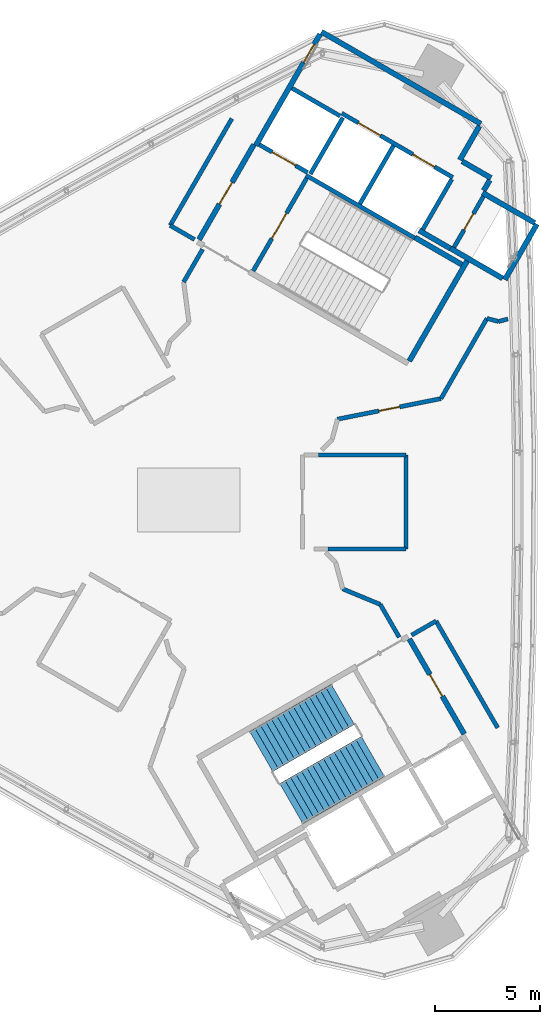
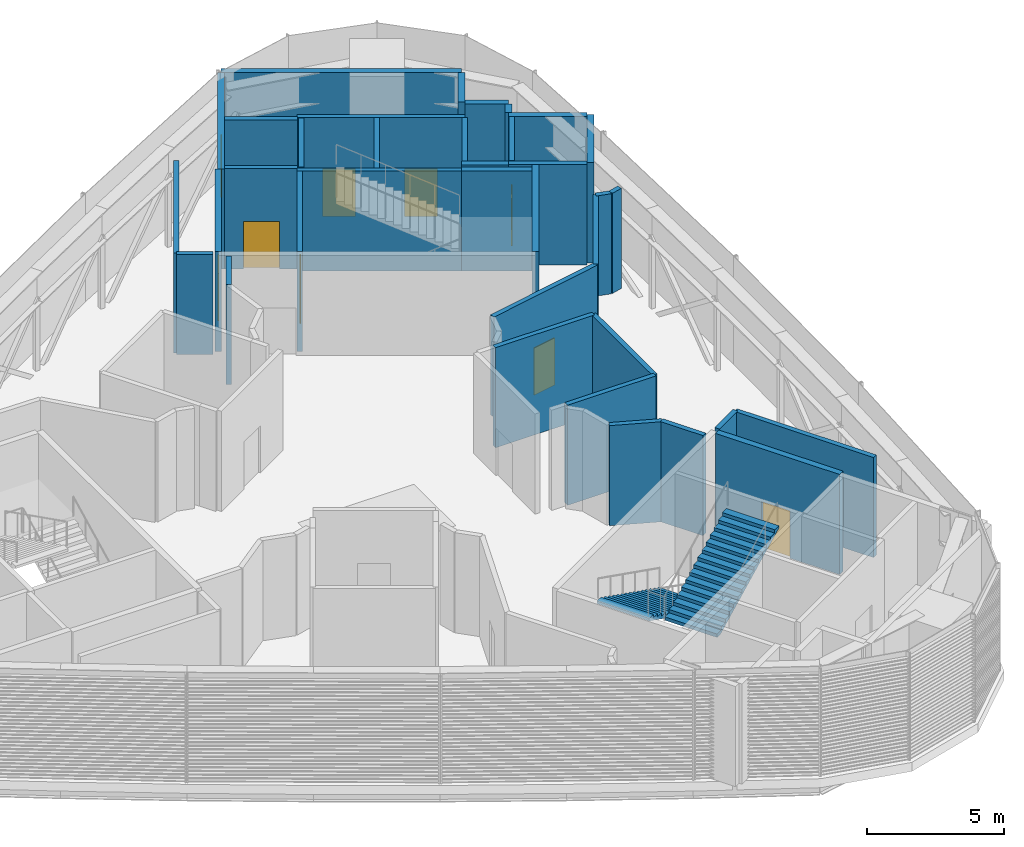
# One storey, part 17 of 21: 36 walls, 9 doors, 2 stair flights, 9 openings, 1 element without a shape of its own.
"""IFC4 building model written with IfcOpenShell, lengths in metres."""

import ifcopenshell
import ifcopenshell.guid

model = None  # the IFC model being written
_history = None  # IfcOwnerHistory: only IFC2X3 demands one
_inside = {}  # id of a spatial element -> (the spatial element, [elements in it])
_under = {}  # id of a project, library or spatial element -> (it, [spatial elements below it])
_declared = {}  # id of a project -> (the project, [libraries it declares])
_typed = {}  # id of a type object -> (the type object, [elements of that type])
_made_of = {}  # id of a material, layer set ... -> (it, [elements and type objects made of it])


def new_model(schema):
    """Start an empty IFC model of exactly this schema.

    Asked for "IFC4X3", IfcOpenShell would pick the latest addendum, in which some entities
    have other attributes; the version numbers below select the first issue.
    IFC2X3 requires an IfcOwnerHistory on every rooted entity: one is made here for all.
    """
    global model, _history
    if schema == "IFC4X3":
        model = ifcopenshell.file(schema_version=(4, 3, 0, 0))
    else:
        model = ifcopenshell.file(schema=schema)
    _inside.clear()
    _under.clear()
    _declared.clear()
    _typed.clear()
    _made_of.clear()
    _history = None
    if model.schema == "IFC2X3":
        org = make("IfcOrganization", Name="unknown")
        user = make(
            "IfcPersonAndOrganization",
            ThePerson=make("IfcPerson", FamilyName="unknown"),
            TheOrganization=org,
        )
        app = make(
            "IfcApplication",
            ApplicationDeveloper=org,
            Version="unknown",
            ApplicationFullName="unknown",
            ApplicationIdentifier="unknown",
        )
        _history = make(
            "IfcOwnerHistory",
            OwningUser=user,
            OwningApplication=app,
            ChangeAction="ADDED",
            CreationDate=0,
        )
    return model


def make(cls, **values):
    """One entity of the class cls with the attributes given. An attribute that is None is left unset."""
    return model.create_entity(
        cls, **{name: value for name, value in values.items() if value is not None}
    )


def rooted(cls, **values):
    """An entity with a GlobalId (a new one), such as an element, a storey or a relation."""
    return make(cls, GlobalId=ifcopenshell.guid.new(), OwnerHistory=_history, **values)


def si_unit(unit_type, name, prefix=None):
    """IfcSIUnit, for example si_unit("LENGTHUNIT", "METRE", prefix="MILLI")."""
    return make("IfcSIUnit", UnitType=unit_type, Prefix=prefix, Name=name)


def assignment(units):
    """IfcUnitAssignment: the units of a project."""
    return None if units is None else make("IfcUnitAssignment", Units=units)


def point(xyz):
    """IfcCartesianPoint."""
    return None if xyz is None else make("IfcCartesianPoint", Coordinates=xyz)


def direction(xyz):
    """IfcDirection."""
    return None if xyz is None else make("IfcDirection", DirectionRatios=xyz)


def frame(location, z_axis=None, x_axis=None):
    """IfcAxis2Placement3D, a coordinate frame: its origin and axes. An axis left out is left unset."""
    return make(
        "IfcAxis2Placement3D",
        Location=point(location),
        Axis=direction(z_axis),
        RefDirection=direction(x_axis),
    )


def frame_2d(location, x_axis=None):
    """IfcAxis2Placement2D, a coordinate frame in the plane: its origin and x axis."""
    return make(
        "IfcAxis2Placement2D", Location=point(location), RefDirection=direction(x_axis)
    )


def origin():
    """The frame at (0, 0, 0) with its axes left unset."""
    return frame((0.0, 0.0, 0.0))


def place(relative_to, where):
    """IfcLocalPlacement: puts the frame where relative to a parent placement (None: the world)."""
    return make(
        "IfcLocalPlacement", PlacementRelTo=relative_to, RelativePlacement=where
    )


def context(
    kind, dimensions, precision=None, world=None, true_north=None, identifier=None
):
    """IfcGeometricRepresentationContext, for example the 3D "Model" context."""
    return make(
        "IfcGeometricRepresentationContext",
        ContextIdentifier=identifier,
        ContextType=kind,
        CoordinateSpaceDimension=dimensions,
        Precision=precision,
        WorldCoordinateSystem=world,
        TrueNorth=true_north,
    )


def subcontext(parent, identifier, kind, view, scale=None):
    """IfcGeometricRepresentationSubContext, for example "Body" below "Model"."""
    return make(
        "IfcGeometricRepresentationSubContext",
        ContextIdentifier=identifier,
        ContextType=kind,
        ParentContext=parent,
        TargetScale=scale,
        TargetView=view,
    )


def project(units=None, contexts=None):
    """IfcProject with its units and contexts."""
    return rooted(
        "IfcProject",
        Name="project",
        RepresentationContexts=contexts,
        UnitsInContext=assignment(units),
    )


def spatial(cls, under=None, at=None, **own):
    """A site, building, storey or space (cls), placed at a placement, below another one or the project."""
    s = rooted(cls, ObjectPlacement=at, **own)
    if under is not None:
        _under.setdefault(under.id(), (under, []))[1].append(s)
    return s


def polyline(points):
    """IfcPolyline through the points."""
    return make("IfcPolyline", Points=[point(p) for p in points])


def profile(cls, at=None, kind="AREA", **sizes):
    """A parametric profile (cls). Its sizes go by their IFC names, for example OverallWidth=200.0."""
    return make(cls, ProfileType=kind, Position=at, **sizes)


def rectangle(**sizes):
    """IfcRectangleProfileDef."""
    return profile("IfcRectangleProfileDef", **sizes)


def outline(outer, holes=None, kind="AREA"):
    """IfcArbitraryClosedProfileDef: a profile drawn as a closed curve; with holes, ...WithVoids."""
    if holes is None:
        return make("IfcArbitraryClosedProfileDef", ProfileType=kind, OuterCurve=outer)
    return make(
        "IfcArbitraryProfileDefWithVoids",
        ProfileType=kind,
        OuterCurve=outer,
        InnerCurves=holes,
    )


def extrude(swept, where, along, depth):
    """IfcExtrudedAreaSolid: the profile swept, set in the frame where, extruded along a direction by depth."""
    return make(
        "IfcExtrudedAreaSolid",
        SweptArea=swept,
        Position=where,
        ExtrudedDirection=direction(along),
        Depth=depth,
    )


def shape(context_of_items, identifier, shape_type, items):
    """IfcShapeRepresentation: the items that make up one representation, for example the "Body"."""
    return make(
        "IfcShapeRepresentation",
        ContextOfItems=context_of_items,
        RepresentationIdentifier=identifier,
        RepresentationType=shape_type,
        Items=items,
    )


def material(Name=None, Category=None):
    """IfcMaterial."""
    return make("IfcMaterial", Name=Name, Category=Category)


def layer(
    of_material, thickness, ventilated=None, Name=None, Category=None, Priority=None
):
    """IfcMaterialLayer: one layer of a wall or slab, of a material (None: an air gap)."""
    return make(
        "IfcMaterialLayer",
        Material=of_material,
        LayerThickness=thickness,
        IsVentilated=ventilated,
        Name=Name,
        Category=Category,
        Priority=Priority,
    )


def layer_set(layers, Name=None):
    """IfcMaterialLayerSet."""
    return make("IfcMaterialLayerSet", MaterialLayers=layers, LayerSetName=Name)


def made_of(thing, what):
    """Note that an element or type object is made of a material, layer set ...; save() writes the relation."""
    if what is not None:
        _made_of.setdefault(what.id(), (what, []))[1].append(thing)
    return thing


def type_object(cls, material=None, **own):
    """A type object (cls), such as IfcWallType, which elements share."""
    return made_of(rooted(cls, **own), material)


def element(
    cls,
    number,
    at=None,
    inside=None,
    cuts=None,
    type_object=None,
    material=None,
    context=None,
    identifier="Body",
    shape_type=None,
    held_by="IfcProductDefinitionShape",
    body=None,
    shapes=None,
    **own,
):
    """One element of the class cls, such as IfcWall. Its Tag is "e" and its number.

    at: its placement. inside: the storey or other place that contains it. cuts: it is an
    opening in that element (IfcRelVoidsElement). A single representation is given by context,
    identifier, shape_type and body (its items); several are given by shapes. held_by: the class
    of the entity that holds the representations. save() writes the other relations.
    """
    e = rooted(cls, Tag="e%d" % number, ObjectPlacement=at, **own)
    if body is not None:
        shapes = [shape(context, identifier, shape_type, body)]
    if shapes is not None:
        e.Representation = make(held_by, Representations=shapes)
    if inside is not None:
        _inside.setdefault(inside.id(), (inside, []))[1].append(e)
    if cuts is not None:
        rooted(
            "IfcRelVoidsElement", RelatingBuildingElement=cuts, RelatedOpeningElement=e
        )
    if type_object is not None:
        _typed.setdefault(type_object.id(), (type_object, []))[1].append(e)
    return made_of(e, material)


def fill(opening, filler):
    """IfcRelFillsElement: the door or window that sits in an opening."""
    return rooted(
        "IfcRelFillsElement",
        RelatingOpeningElement=opening,
        RelatedBuildingElement=filler,
    )


def aggregate(whole, parts):
    """IfcRelAggregates: a whole, such as a stair, and the parts it consists of."""
    return rooted("IfcRelAggregates", RelatingObject=whole, RelatedObjects=parts)


def save(model, path):
    """Write the relations noted so far, then the file.

    IfcRelAggregates (storeys below a building ...), IfcRelContainedInSpatialStructure (elements
    in a storey), IfcRelDefinesByType, IfcRelAssociatesMaterial and IfcRelDeclares: one each for
    every whole, place, type object, material and project.
    """
    for whole, parts in _under.values():
        aggregate(whole, parts)
    for where, things in _inside.values():
        rooted(
            "IfcRelContainedInSpatialStructure",
            RelatedElements=things,
            RelatingStructure=where,
        )
    for kind, things in _typed.values():
        rooted("IfcRelDefinesByType", RelatedObjects=things, RelatingType=kind)
    for what, things in _made_of.values():
        rooted("IfcRelAssociatesMaterial", RelatedObjects=things, RelatingMaterial=what)
    for by, libraries in _declared.values():
        rooted("IfcRelDeclares", RelatingContext=by, RelatedDefinitions=libraries)
    model.write(path)


model = new_model("IFC4")

# Units and contexts
model_context = context("Model", 3, precision=1e-05, world=origin(), true_north=direction((0.0, 1.0)))
body_context = subcontext(model_context, "Body", "Model", "MODEL_VIEW")
ifc_project = project(units=[si_unit("LENGTHUNIT", "METRE"), si_unit("AREAUNIT", "SQUARE_METRE"), si_unit("VOLUMEUNIT", "CUBIC_METRE"), si_unit("PLANEANGLEUNIT", "RADIAN"), si_unit("MASSUNIT", "GRAM", prefix="KILO")], contexts=[model_context])

# Site, building, storey
site_placement = place(None, origin())
site = spatial("IfcSite", under=ifc_project, at=site_placement, CompositionType="ELEMENT")
building_placement = place(site_placement, origin())
building = spatial("IfcBuilding", under=site, at=building_placement, Name="Tamra Quay Hotel Tower", CompositionType="ELEMENT")
storey_placement = place(building_placement, frame((0.0, 0.0, 301.800048828125)))
storey = spatial("IfcBuildingStorey", under=building, at=storey_placement, Name="L76", CompositionType="ELEMENT", Elevation=301.800048828125)

# Wall, openings, doors
ifc_material_1 = material(Name="Concrete M70", Category="concrete")
ifc_layer_1 = layer(ifc_material_1, 0.199951171875)
ifc_layer_set_1 = layer_set([ifc_layer_1], Name="Concrete M70 core wall 200")
wall_type_1 = type_object("IfcWallType", Name="Concrete M70 core wall 200", PredefinedType="SHEAR", material=ifc_layer_set_1)
wall_1_placement = place(storey_placement, frame((12.552490234375, 15.341552734375, 0.0), z_axis=(0.0, 0.0, 1.0), x_axis=(-0.866030299012, 0.499991521122, 0.0)))
wall_1 = element("IfcWall", 1, at=wall_1_placement, inside=storey, type_object=wall_type_1, Name="CW2", PredefinedType="SHEAR", context=body_context, shape_type="SweptSolid", body=[
    extrude(rectangle(XDim=6.10009765625, YDim=0.199951171875, at=frame_2d((3.050048828125, 0.0))), origin(), (0.0, 0.0, 1.0), 4.449951171875),
])
opening_1_placement = place(wall_1_placement, frame((1.0, 0.0, 0.0)))
opening_1 = element("IfcOpeningElement", 2, at=opening_1_placement, cuts=wall_1, Name="Opening LD", PredefinedType="OPENING", context=body_context, shape_type="SweptSolid", body=[
    extrude(rectangle(XDim=1.199951171875, YDim=2.10009765625, at=frame_2d((0.60009765625, 1.050048828125))), frame((0.0, 0.10986328125, 0.0), z_axis=(0.0, -1.0, 0.0), x_axis=(1.0, 0.0, 0.0)), (0.0, 0.0, 1.0), 0.219970703125),
])
opening_2_placement = place(wall_1_placement, frame((3.982177734375, 0.0, 0.0)))
opening_2 = element("IfcOpeningElement", 3, at=opening_2_placement, cuts=wall_1, Name="Opening LD", PredefinedType="OPENING", context=body_context, shape_type="SweptSolid", body=[
    extrude(rectangle(XDim=1.199951171875, YDim=2.10009765625, at=frame_2d((0.60009765625, 1.050048828125))), frame((0.0, 0.10986328125, 0.0), z_axis=(0.0, -1.0, 0.0), x_axis=(1.0, 0.0, 0.0)), (0.0, 0.0, 1.0), 0.219970703125),
])
ifc_material_2 = material(Name="Landing door LD 1200 double door sliding")
door_type_1 = type_object("IfcDoorType", Name="Landing door LD 1200 double door sliding", OperationType="DOUBLE_DOOR_SLIDING", PredefinedType="DOOR", material=ifc_material_2)
door_1_placement = place(opening_1_placement, origin())
door_1 = element("IfcDoor", 4, at=door_1_placement, inside=storey, type_object=door_type_1, Name="LD", OperationType="DOUBLE_DOOR_SLIDING", OverallHeight=2.10009765625, OverallWidth=1.199951171875, PredefinedType="DOOR", context=body_context, shape_type="SweptSolid", body=[
    extrude(rectangle(XDim=1.199951171875, YDim=2.10009765625, at=frame_2d((0.60009765625, 1.050048828125))), frame((0.0, 0.02490234375, 0.0), z_axis=(0.0, -1.0, 0.0), x_axis=(1.0, 0.0, 0.0)), (0.0, 0.0, 1.0), 0.050048828125),
])
fill(opening_1, door_1)
door_2_placement = place(opening_2_placement, origin())
door_2 = element("IfcDoor", 5, at=door_2_placement, inside=storey, type_object=door_type_1, Name="LD", OperationType="DOUBLE_DOOR_SLIDING", OverallHeight=2.10009765625, OverallWidth=1.199951171875, PredefinedType="DOOR", context=body_context, shape_type="SweptSolid", body=[
    extrude(rectangle(XDim=1.199951171875, YDim=2.10009765625, at=frame_2d((0.60009765625, 1.050048828125))), frame((0.0, 0.02490234375, 0.0), z_axis=(0.0, -1.0, 0.0), x_axis=(1.0, 0.0, 0.0)), (0.0, 0.0, 1.0), 0.050048828125),
])
fill(opening_2, door_2)

# Wall
wall_2_placement = place(storey_placement, frame((10.7431640625, 12.4599609375, 0.0), z_axis=(0.0, 0.0, 1.0), x_axis=(-0.866018848283, 0.500011354289, 0.0)))
element("IfcWall", 6, at=wall_2_placement, inside=storey, type_object=wall_type_1, Name="CW2", PredefinedType="SHEAR", context=body_context, shape_type="SweptSolid", body=[
    extrude(rectangle(XDim=5.973876953125, YDim=0.199951171875, at=frame_2d((2.98681640625, 0.0))), origin(), (0.0, 0.0, 1.0), 4.449951171875),
])

# Wall, opening, door
wall_3_placement = place(storey_placement, frame((3.056640625, 10.89453125, 0.0), z_axis=(0.0, 0.0, 1.0), x_axis=(0.500027839223, 0.866009330205, 0.0)))
wall_3 = element("IfcWall", 7, at=wall_3_placement, inside=storey, type_object=wall_type_1, Name="CW2", PredefinedType="SHEAR", context=body_context, shape_type="SweptSolid", body=[
    extrude(rectangle(XDim=5.097900390625, YDim=0.199951171875, at=frame_2d((2.548828125, 0.0))), origin(), (0.0, 0.0, 1.0), 4.449951171875),
])
opening_3_placement = place(wall_3_placement, frame((1.77392578125, 0.0, 0.0)))
opening_3 = element("IfcOpeningElement", 8, at=opening_3_placement, cuts=wall_3, Name="Opening FD2", PredefinedType="OPENING", context=body_context, shape_type="SweptSolid", body=[
    extrude(rectangle(XDim=1.39990234375, YDim=2.10009765625, at=frame_2d((0.699951171875, 1.050048828125))), frame((0.0, 0.10986328125, 0.0), z_axis=(0.0, -1.0, 0.0), x_axis=(1.0, 0.0, 0.0)), (0.0, 0.0, 1.0), 0.219970703125),
])
ifc_material_3 = material(Name="Core door FD2 1400x2100 RH")
door_type_2 = type_object("IfcDoorType", Name="Core door FD2 1400x2100 RH", OperationType="NOTDEFINED", PredefinedType="DOOR", material=ifc_material_3)
door_3_placement = place(opening_3_placement, origin())
door_3 = element("IfcDoor", 9, at=door_3_placement, inside=storey, type_object=door_type_2, Name="FD2", OperationType="SINGLE_SWING_RIGHT", OverallHeight=2.10009765625, OverallWidth=1.39990234375, PredefinedType="DOOR", context=body_context, shape_type="SweptSolid", body=[
    extrude(rectangle(XDim=1.39990234375, YDim=2.10009765625, at=frame_2d((0.699951171875, 1.050048828125))), frame((0.0, 0.02490234375, 0.0), z_axis=(0.0, -1.0, 0.0), x_axis=(1.0, 0.0, 0.0)), (0.0, 0.0, 1.0), 0.050048828125),
])
fill(opening_3, door_3)

# Wall
wall_4_placement = place(storey_placement, frame((8.131591796875, 14.08447265625, 0.0), z_axis=(0.0, 0.0, 1.0), x_axis=(0.500030834389, 0.86600760081, 0.0)))
element("IfcWall", 10, at=wall_4_placement, inside=storey, type_object=wall_type_1, Name="CW2", PredefinedType="SHEAR", context=body_context, shape_type="SweptSolid", body=[
    extrude(rectangle(XDim=3.197998046875, YDim=0.199951171875, at=frame_2d((1.59912109375, 0.0))), origin(), (0.0, 0.0, 1.0), 4.449951171875),
])

# Wall, opening, door
wall_5_placement = place(storey_placement, frame((14.0078125, 14.442138671875, 0.0), z_axis=(0.0, 0.0, 1.0), x_axis=(-0.499986818241, -0.866033014143, 0.0)))
wall_5 = element("IfcWall", 11, at=wall_5_placement, inside=storey, type_object=wall_type_1, Name="CW2", PredefinedType="SHEAR", context=body_context, shape_type="SweptSolid", body=[
    extrude(rectangle(XDim=2.7978515625, YDim=0.199951171875, at=frame_2d((1.39892578125, 0.0))), origin(), (0.0, 0.0, 1.0), 4.449951171875),
])
opening_4_placement = place(wall_5_placement, frame((0.948974609375, 0.0, 0.0)))
opening_4 = element("IfcOpeningElement", 12, at=opening_4_placement, cuts=wall_5, Name="Opening D1", PredefinedType="OPENING", context=body_context, shape_type="SweptSolid", body=[
    extrude(rectangle(XDim=0.89990234375, YDim=2.10009765625, at=frame_2d((0.449951171875, 1.050048828125))), frame((0.0, 0.10986328125, 0.0), z_axis=(0.0, -1.0, 0.0), x_axis=(1.0, 0.0, 0.0)), (0.0, 0.0, 1.0), 0.219970703125),
])
ifc_material_4 = material(Name="Core door D1 900x2100 LH")
door_type_3 = type_object("IfcDoorType", Name="Core door D1 900x2100 LH", OperationType="NOTDEFINED", PredefinedType="DOOR", material=ifc_material_4)
door_4_placement = place(opening_4_placement, origin())
door_4 = element("IfcDoor", 13, at=door_4_placement, inside=storey, type_object=door_type_3, Name="D1", OperationType="SINGLE_SWING_LEFT", OverallHeight=2.10009765625, OverallWidth=0.89990234375, PredefinedType="DOOR", context=body_context, shape_type="SweptSolid", body=[
    extrude(rectangle(XDim=0.89990234375, YDim=2.10009765625, at=frame_2d((0.449951171875, 1.050048828125))), frame((0.0, 0.02490234375, 0.0), z_axis=(0.0, -1.0, 0.0), x_axis=(1.0, 0.0, 0.0)), (0.0, 0.0, 1.0), 0.050048828125),
])
fill(opening_4, door_4)

# Walls
wall_6_placement = place(storey_placement, frame((12.50244140625, 15.2548828125, 0.0), z_axis=(0.0, 0.0, 1.0), x_axis=(-0.499965018551, -0.866045599391, 0.0)))
element("IfcWall", 14, at=wall_6_placement, inside=storey, type_object=wall_type_1, Name="CW2", PredefinedType="SHEAR", context=body_context, shape_type="SweptSolid", body=[
    extrude(rectangle(XDim=2.759033203125, YDim=0.199951171875, at=frame_2d((1.37939453125, 0.0))), origin(), (0.0, 0.0, 1.0), 4.449951171875),
])
wall_7_placement = place(storey_placement, frame((7.324462890625, 18.1865234375, 0.0), z_axis=(0.0, 0.0, 1.0), x_axis=(-0.499967891604, -0.866043940782, 0.0)))
element("IfcWall", 15, at=wall_7_placement, inside=storey, type_object=wall_type_1, Name="CW2", PredefinedType="SHEAR", context=body_context, shape_type="SweptSolid", body=[
    extrude(rectangle(XDim=3.099853515625, YDim=0.199951171875, at=frame_2d((1.5498046875, 0.0))), origin(), (0.0, 0.0, 1.0), 4.449951171875),
])

# Wall, opening, door
wall_8_placement = place(storey_placement, frame((5.646240234375, 15.575927734375, 0.0), z_axis=(0.0, 0.0, 1.0), x_axis=(-0.866018407898, 0.500012117035, 0.0)))
wall_8 = element("IfcWall", 16, at=wall_8_placement, inside=storey, type_object=wall_type_1, Name="CW2", PredefinedType="SHEAR", context=body_context, shape_type="SweptSolid", body=[
    extrude(rectangle(XDim=2.65087890625, YDim=0.199951171875, at=frame_2d((1.325439453125, 0.0))), origin(), (0.0, 0.0, 1.0), 4.449951171875),
])
opening_5_placement = place(wall_8_placement, frame((0.65185546875, 0.0, 0.0)))
opening_5 = element("IfcOpeningElement", 17, at=opening_5_placement, cuts=wall_8, Name="Opening LD", PredefinedType="OPENING", context=body_context, shape_type="SweptSolid", body=[
    extrude(rectangle(XDim=1.300048828125, YDim=2.10009765625, at=frame_2d((0.64990234375, 1.050048828125))), frame((0.0, 0.10986328125, 0.0), z_axis=(0.0, -1.0, 0.0), x_axis=(1.0, 0.0, 0.0)), (0.0, 0.0, 1.0), 0.219970703125),
])
ifc_material_5 = material(Name="Landing door LD 1300 sliding to right")
door_type_4 = type_object("IfcDoorType", Name="Landing door LD 1300 sliding to right", OperationType="NOTDEFINED", PredefinedType="DOOR", material=ifc_material_5)
door_5_placement = place(opening_5_placement, origin())
door_5 = element("IfcDoor", 18, at=door_5_placement, inside=storey, type_object=door_type_4, Name="LD", OperationType="SLIDING_TO_RIGHT", OverallHeight=2.10009765625, OverallWidth=1.300048828125, PredefinedType="DOOR", context=body_context, shape_type="SweptSolid", body=[
    extrude(rectangle(XDim=1.300048828125, YDim=2.10009765625, at=frame_2d((0.64990234375, 1.050048828125))), frame((0.0, 0.02490234375, 0.0), z_axis=(0.0, -1.0, 0.0), x_axis=(1.0, 0.0, 0.0)), (0.0, 0.0, 1.0), 0.050048828125),
])
fill(opening_5, door_5)

# Walls
wall_9_placement = place(storey_placement, frame((7.1962890625, 18.260498046875, 0.0), z_axis=(0.0, 0.0, 1.0), x_axis=(-0.866018407898, 0.500012117035, 0.0)))
element("IfcWall", 19, at=wall_9_placement, inside=storey, type_object=wall_type_1, Name="CW2", PredefinedType="SHEAR", context=body_context, shape_type="SweptSolid", body=[
    extrude(rectangle(XDim=2.65087890625, YDim=0.199951171875, at=frame_2d((1.325439453125, 0.0))), origin(), (0.0, 0.0, 1.0), 4.449951171875),
])
ifc_layer_2 = layer(ifc_material_1, 0.25)
ifc_layer_set_2 = layer_set([ifc_layer_2], Name="Concrete M70 core wall 250")
wall_type_2 = type_object("IfcWallType", Name="Concrete M70 core wall 250", PredefinedType="SHEAR", material=ifc_layer_set_2)
wall_10_placement = place(storey_placement, frame((6.303955078125, 22.268798828125, 0.0), z_axis=(0.0, 0.0, 1.0), x_axis=(0.866022959057, -0.500004234368, 0.0)))
element("IfcWall", 20, at=wall_10_placement, inside=storey, type_object=wall_type_2, Name="CW1", PredefinedType="SHEAR", context=body_context, shape_type="SweptSolid", body=[
    extrude(rectangle(XDim=8.75, YDim=0.25, at=frame_2d((4.375, 0.0))), origin(), (0.0, 0.0, 1.0), 4.449951171875),
])

# Wall, opening, door
wall_11_placement = place(storey_placement, frame((3.178955078125, 16.856201171875, 0.0), z_axis=(0.0, 0.0, 1.0), x_axis=(0.500001955336, 0.866024274868, 0.0)))
wall_11 = element("IfcWall", 21, at=wall_11_placement, inside=storey, type_object=wall_type_2, Name="CW1", PredefinedType="SHEAR", context=body_context, shape_type="SweptSolid", body=[
    extrude(rectangle(XDim=6.12451171875, YDim=0.25, at=frame_2d((3.062255859375, 0.0))), origin(), (0.0, 0.0, 1.0), 4.449951171875),
])
opening_6_placement = place(wall_11_placement, frame((4.562744140625, 0.0, 0.0)))
opening_6 = element("IfcOpeningElement", 22, at=opening_6_placement, cuts=wall_11, Name="Opening FD3", PredefinedType="OPENING", context=body_context, shape_type="SweptSolid", body=[
    extrude(rectangle(XDim=1.0, YDim=2.10009765625, at=frame_2d((0.5, 1.050048828125))), frame((0.0, 0.135009765625, 0.0), z_axis=(0.0, -1.0, 0.0), x_axis=(1.0, 0.0, 0.0)), (0.0, 0.0, 1.0), 0.27001953125),
])
ifc_material_6 = material(Name="Core door FD3 1000x2100 LH")
door_type_5 = type_object("IfcDoorType", Name="Core door FD3 1000x2100 LH", OperationType="NOTDEFINED", PredefinedType="DOOR", material=ifc_material_6)
door_6_placement = place(opening_6_placement, origin())
door_6 = element("IfcDoor", 23, at=door_6_placement, inside=storey, type_object=door_type_5, Name="FD3", OperationType="SINGLE_SWING_LEFT", OverallHeight=2.10009765625, OverallWidth=1.0, PredefinedType="DOOR", context=body_context, shape_type="SweptSolid", body=[
    extrude(rectangle(XDim=1.0, YDim=2.10009765625, at=frame_2d((0.5, 1.050048828125))), frame((0.0, 0.02490234375, 0.0), z_axis=(0.0, -1.0, 0.0), x_axis=(1.0, 0.0, 0.0)), (0.0, 0.0, 1.0), 0.050048828125),
])
fill(opening_6, door_6)

wall_12_placement = place(storey_placement, frame((0.47998046875, 12.38134765625, 0.0), z_axis=(0.0, 0.0, 1.0), x_axis=(0.49999885962, 0.866026062182, 0.0)))
wall_12 = element("IfcWall", 24, at=wall_12_placement, inside=storey, type_object=wall_type_2, Name="CW1", PredefinedType="SHEAR", context=body_context, shape_type="SweptSolid", body=[
    extrude(rectangle(XDim=5.224609375, YDim=0.25, at=frame_2d((2.6123046875, 0.0))), origin(), (0.0, 0.0, 1.0), 4.449951171875),
])
opening_7_placement = place(wall_12_placement, frame((1.94970703125, 0.0, 0.0)))
opening_7 = element("IfcOpeningElement", 25, at=opening_7_placement, cuts=wall_12, Name="Opening D2", PredefinedType="OPENING", context=body_context, shape_type="SweptSolid", body=[
    extrude(rectangle(XDim=1.199951171875, YDim=2.10009765625, at=frame_2d((0.60009765625, 1.050048828125))), frame((0.0, 0.135009765625, 0.0), z_axis=(0.0, -1.0, 0.0), x_axis=(1.0, 0.0, 0.0)), (0.0, 0.0, 1.0), 0.27001953125),
])
ifc_material_7 = material(Name="Core door D2 1200x2100 LH")
door_type_6 = type_object("IfcDoorType", Name="Core door D2 1200x2100 LH", OperationType="NOTDEFINED", PredefinedType="DOOR", material=ifc_material_7)
door_7_placement = place(opening_7_placement, origin())
door_7 = element("IfcDoor", 26, at=door_7_placement, inside=storey, type_object=door_type_6, Name="D2", OperationType="SINGLE_SWING_LEFT", OverallHeight=2.10009765625, OverallWidth=1.199951171875, PredefinedType="DOOR", context=body_context, shape_type="SweptSolid", body=[
    extrude(rectangle(XDim=1.199951171875, YDim=2.10009765625, at=frame_2d((0.60009765625, 1.050048828125))), frame((0.0, 0.02490234375, 0.0), z_axis=(0.0, -1.0, 0.0), x_axis=(1.0, 0.0, 0.0)), (0.0, 0.0, 1.0), 0.050048828125),
])
fill(opening_7, door_7)

# Walls
wall_13_placement = place(storey_placement, frame((13.237548828125, 11.3779296875, 0.0), z_axis=(0.0, 0.0, 1.0), x_axis=(-0.500008851346, -0.866020293397, 0.0)))
element("IfcWall", 27, at=wall_13_placement, inside=storey, type_object=wall_type_2, Name="CW1", PredefinedType="SHEAR", context=body_context, shape_type="SweptSolid", body=[
    extrude(rectangle(XDim=5.509765625, YDim=0.25, at=frame_2d((2.7548828125, 0.0))), origin(), (0.0, 0.0, 1.0), 4.449951171875),
])
wall_14_placement = place(storey_placement, frame((16.552001953125, 13.118896484375, 0.0), z_axis=(0.0, 0.0, 1.0), x_axis=(-0.499978833458, -0.866037623948, 0.0)))
element("IfcWall", 28, at=wall_14_placement, inside=storey, type_object=wall_type_2, Name="CW1", PredefinedType="SHEAR", context=body_context, shape_type="SweptSolid", body=[
    extrude(rectangle(XDim=3.050048828125, YDim=0.25, at=frame_2d((1.52490234375, 0.0))), origin(), (0.0, 0.0, 1.0), 4.449951171875),
])
wall_15_placement = place(storey_placement, frame((14.91845703125, 10.540283203125, 0.0), z_axis=(0.0, 0.0, 1.0), x_axis=(-0.866063538972, 0.499933942099, 0.0)))
element("IfcWall", 29, at=wall_15_placement, inside=storey, type_object=wall_type_2, Name="CW1", PredefinedType="SHEAR", context=body_context, shape_type="SweptSolid", body=[
    extrude(rectangle(XDim=2.86474609375, YDim=0.25, at=frame_2d((1.432373046875, 0.0))), origin(), (0.0, 0.0, 1.0), 4.449951171875),
])
wall_16_placement = place(storey_placement, frame((13.962646484375, 14.61376953125, 0.0), z_axis=(0.0, 0.0, 1.0), x_axis=(0.866042235819, -0.499970844928, 0.0)))
element("IfcWall", 30, at=wall_16_placement, inside=storey, type_object=wall_type_2, Name="CW1", PredefinedType="SHEAR", context=body_context, shape_type="SweptSolid", body=[
    extrude(rectangle(XDim=2.864501953125, YDim=0.25, at=frame_2d((1.43212890625, 0.0))), origin(), (0.0, 0.0, 1.0), 4.449951171875),
])
wall_17_placement = place(storey_placement, frame((10.756591796875, 12.481201171875, 0.0), z_axis=(0.0, 0.0, 1.0), x_axis=(0.866022940537, -0.500004266446, 0.0)))
element("IfcWall", 31, at=wall_17_placement, inside=storey, type_object=wall_type_2, Name="CW1", PredefinedType="SHEAR", context=body_context, shape_type="SweptSolid", body=[
    extrude(rectangle(XDim=2.57470703125, YDim=0.25, at=frame_2d((1.287353515625, 0.0))), origin(), (0.0, 0.0, 1.0), 4.449951171875),
])
wall_18_placement = place(storey_placement, frame((13.819091796875, 17.78515625, 0.0), z_axis=(0.0, 0.0, 1.0), x_axis=(-0.500039802285, -0.866002422705, 0.0)))
element("IfcWall", 32, at=wall_18_placement, inside=storey, type_object=wall_type_2, Name="CW1", PredefinedType="SHEAR", context=body_context, shape_type="SweptSolid", body=[
    extrude(rectangle(XDim=1.864501953125, YDim=0.25, at=frame_2d((0.93212890625, 0.0))), origin(), (0.0, 0.0, 1.0), 4.449951171875),
])
wall_19_placement = place(storey_placement, frame((12.4326171875, 11.9638671875, 0.0), z_axis=(0.0, 0.0, 1.0), x_axis=(-0.866038183914, 0.499977863513, 0.0)))
element("IfcWall", 33, at=wall_19_placement, inside=storey, type_object=wall_type_2, Name="CW1", PredefinedType="SHEAR", context=body_context, shape_type="SweptSolid", body=[
    extrude(rectangle(XDim=1.7099609375, YDim=0.25, at=frame_2d((0.85498046875, 0.0))), origin(), (0.0, 0.0, 1.0), 4.449951171875),
])
wall_20_placement = place(storey_placement, frame((12.995361328125, 16.107666015625, 0.0), z_axis=(0.0, 0.0, 1.0), x_axis=(0.866044474677, -0.49996696679, 0.0)))
element("IfcWall", 34, at=wall_20_placement, inside=storey, type_object=wall_type_2, Name="CW1", PredefinedType="SHEAR", context=body_context, shape_type="SweptSolid", body=[
    extrude(rectangle(XDim=1.58447265625, YDim=0.25, at=frame_2d((0.792236328125, 0.0))), origin(), (0.0, 0.0, 1.0), 4.449951171875),
])
wall_21_placement = place(storey_placement, frame((14.304931640625, 15.206787109375, 0.0), z_axis=(0.0, 0.0, 1.0), x_axis=(-0.499848422343, -0.866112899501, 0.0)))
element("IfcWall", 35, at=wall_21_placement, inside=storey, type_object=wall_type_2, Name="CW1", PredefinedType="SHEAR", context=body_context, shape_type="SweptSolid", body=[
    extrude(rectangle(XDim=0.559326171875, YDim=0.25, at=frame_2d((0.27978515625, 0.0))), origin(), (0.0, 0.0, 1.0), 4.449951171875),
])

# Wall, opening, door
wall_22_placement = place(storey_placement, frame((10.482666015625, -6.6064453125, 0.0), z_axis=(0.0, 0.0, 1.0), x_axis=(0.49999885962, -0.866026062182, 0.0)))
wall_22 = element("IfcWall", 36, at=wall_22_placement, inside=storey, type_object=wall_type_2, Name="CW1", PredefinedType="SHEAR", context=body_context, shape_type="SweptSolid", body=[
    extrude(rectangle(XDim=5.224609375, YDim=0.25, at=frame_2d((2.6123046875, 0.0))), origin(), (0.0, 0.0, 1.0), 4.449951171875),
])
opening_8_placement = place(wall_22_placement, frame((1.94970703125, 0.0, 0.0)))
opening_8 = element("IfcOpeningElement", 37, at=opening_8_placement, cuts=wall_22, Name="Opening D2", PredefinedType="OPENING", context=body_context, shape_type="SweptSolid", body=[
    extrude(rectangle(XDim=1.199951171875, YDim=2.10009765625, at=frame_2d((0.60009765625, 1.050048828125))), frame((0.0, 0.135009765625, 0.0), z_axis=(0.0, -1.0, 0.0), x_axis=(1.0, 0.0, 0.0)), (0.0, 0.0, 1.0), 0.27001953125),
])
ifc_material_8 = material(Name="Core door D2 1200x2100 RH")
door_type_7 = type_object("IfcDoorType", Name="Core door D2 1200x2100 RH", OperationType="NOTDEFINED", PredefinedType="DOOR", material=ifc_material_8)
door_8_placement = place(opening_8_placement, origin())
door_8 = element("IfcDoor", 38, at=door_8_placement, inside=storey, type_object=door_type_7, Name="D2", OperationType="SINGLE_SWING_RIGHT", OverallHeight=2.10009765625, OverallWidth=1.199951171875, PredefinedType="DOOR", context=body_context, shape_type="SweptSolid", body=[
    extrude(rectangle(XDim=1.199951171875, YDim=2.10009765625, at=frame_2d((0.60009765625, 1.050048828125))), frame((0.0, 0.02490234375, 0.0), z_axis=(0.0, -1.0, 0.0), x_axis=(1.0, 0.0, 0.0)), (0.0, 0.0, 1.0), 0.050048828125),
])
fill(opening_8, door_8)

# Walls
ifc_material_9 = material(Name="Partition corridor wall")
ifc_layer_3 = layer(ifc_material_9, 0.199951171875)
ifc_layer_set_3 = layer_set([ifc_layer_3], Name="Partition corridor wall")
wall_type_3 = type_object("IfcWallType", Name="Partition corridor wall", PredefinedType="PARTITIONING", material=ifc_layer_set_3)
wall_23_placement = place(storey_placement, frame((-0.89111328125, 13.056884765625, 0.0), z_axis=(0.0, 0.0, 1.0), x_axis=(0.866206814563, -0.499685655593, 0.0)))
element("IfcWall", 39, at=wall_23_placement, inside=storey, type_object=wall_type_3, Name="W-C", PredefinedType="PARTITIONING", context=body_context, shape_type="SweptSolid", body=[
    extrude(rectangle(XDim=1.340087890625, YDim=0.199951171875, at=frame_2d((0.669921875, 0.0))), origin(), (0.0, 0.0, 1.0), 4.449951171875),
])
wall_24_placement = place(storey_placement, frame((-0.89111328125, 13.056884765625, 0.0), z_axis=(0.0, 0.0, 1.0), x_axis=(0.499997448251, 0.866026877032, 0.0)))
element("IfcWall", 40, at=wall_24_placement, inside=storey, type_object=wall_type_3, Name="W-C", PredefinedType="PARTITIONING", context=body_context, shape_type="SweptSolid", body=[
    extrude(rectangle(XDim=5.8662109375, YDim=0.199951171875, at=frame_2d((2.93310546875, 0.0))), origin(), (0.0, 0.0, 1.0), 4.449951171875),
])
wall_25_placement = place(storey_placement, frame((-0.2490234375, 10.367919921875, 0.0), z_axis=(0.0, 0.0, 1.0), x_axis=(0.499965372359, 0.866045395139, 0.0)))
element("IfcWall", 41, at=wall_25_placement, inside=storey, type_object=wall_type_3, Name="W-C", PredefinedType="PARTITIONING", context=body_context, shape_type="SweptSolid", body=[
    extrude(rectangle(XDim=1.798095703125, YDim=0.199951171875, at=frame_2d((0.89892578125, 0.0))), origin(), (0.0, 0.0, 1.0), 4.449951171875),
])
wall_26_placement = place(storey_placement, frame((7.31640625, -4.228515625, 0.0), z_axis=(0.0, 0.0, 1.0), x_axis=(0.923978372606, -0.382444724054, 0.0)))
element("IfcWall", 42, at=wall_26_placement, inside=storey, type_object=wall_type_3, Name="W-C", PredefinedType="PARTITIONING", context=body_context, shape_type="SweptSolid", body=[
    extrude(rectangle(XDim=1.93359375, YDim=0.199951171875, at=frame_2d((0.966796875, 0.0))), origin(), (0.0, 0.0, 1.0), 4.449951171875),
])

# Wall, opening, door
wall_27_placement = place(storey_placement, frame((7.069091796875, 3.843017578125, 0.0), z_axis=(0.0, 0.0, 1.0), x_axis=(0.98077114194, 0.195161387415, 0.0)))
wall_27 = element("IfcWall", 43, at=wall_27_placement, inside=storey, type_object=wall_type_3, Name="W-C", PredefinedType="PARTITIONING", context=body_context, shape_type="SweptSolid", body=[
    extrude(rectangle(XDim=5.016357421875, YDim=0.199951171875, at=frame_2d((2.50830078125, 0.0))), origin(), (0.0, 0.0, 1.0), 4.449951171875),
])
opening_9_placement = place(wall_27_placement, frame((2.009033203125, 0.0, 0.0)))
opening_9 = element("IfcOpeningElement", 44, at=opening_9_placement, cuts=wall_27, Name="Opening L76-D002", PredefinedType="OPENING", context=body_context, shape_type="SweptSolid", body=[
    extrude(rectangle(XDim=1.0, YDim=2.10009765625, at=frame_2d((0.5, 1.050048828125))), frame((0.0, 0.10986328125, 0.0), z_axis=(0.0, -1.0, 0.0), x_axis=(1.0, 0.0, 0.0)), (0.0, 0.0, 1.0), 0.219970703125),
])
ifc_material_10 = material(Name="Door service room 1000x2100")
door_type_8 = type_object("IfcDoorType", Name="Door service room 1000x2100", OperationType="NOTDEFINED", PredefinedType="DOOR", material=ifc_material_10)
door_9_placement = place(opening_9_placement, frame((1.0, 0.0, 0.0), z_axis=(0.0, 0.0, 1.0), x_axis=(-1.0, 0.0, 0.0)))
door_9 = element("IfcDoor", 45, at=door_9_placement, inside=storey, type_object=door_type_8, Name="L76-D002", OperationType="SINGLE_SWING_LEFT", OverallHeight=2.10009765625, OverallWidth=1.0, PredefinedType="DOOR", context=body_context, shape_type="SweptSolid", body=[
    extrude(rectangle(XDim=1.0, YDim=2.10009765625, at=frame_2d((0.5, 1.050048828125))), frame((0.0, 0.02490234375, 0.0), z_axis=(0.0, -1.0, 0.0), x_axis=(1.0, 0.0, 0.0)), (0.0, 0.0, 1.0), 0.050048828125),
])
fill(opening_9, door_9)

# Walls
wall_28_placement = place(storey_placement, frame((9.10302734375, -4.968017578125, 0.0), z_axis=(0.0, 0.0, 1.0), x_axis=(0.500008413725, -0.866020546064, 0.0)))
element("IfcWall", 46, at=wall_28_placement, inside=storey, type_object=wall_type_3, Name="W-C", PredefinedType="PARTITIONING", context=body_context, shape_type="SweptSolid", body=[
    extrude(rectangle(XDim=1.79833984375, YDim=0.199951171875, at=frame_2d((0.899169921875, 0.0))), origin(), (0.0, 0.0, 1.0), 4.449951171875),
])
wall_29_placement = place(storey_placement, frame((10.5927734375, -6.42724609375, 0.0), z_axis=(0.0, 0.0, 1.0), x_axis=(0.865912429188, 0.500195626709, 0.0)))
element("IfcWall", 47, at=wall_29_placement, inside=storey, type_object=wall_type_3, Name="W-C", PredefinedType="PARTITIONING", context=body_context, shape_type="SweptSolid", body=[
    extrude(rectangle(XDim=1.33984375, YDim=0.199951171875, at=frame_2d((0.669921875, 0.0))), origin(), (0.0, 0.0, 1.0), 4.449951171875),
])
wall_30_placement = place(storey_placement, frame((11.7529296875, -5.757080078125, 0.0), z_axis=(0.0, 0.0, 1.0), x_axis=(0.500118781305, -0.865956814504, 0.0)))
element("IfcWall", 48, at=wall_30_placement, inside=storey, type_object=wall_type_3, Name="W-C", PredefinedType="PARTITIONING", context=body_context, shape_type="SweptSolid", body=[
    extrude(rectangle(XDim=5.865234375, YDim=0.199951171875, at=frame_2d((2.9326171875, 0.0))), origin(), (0.0, 0.0, 1.0), 4.449951171875),
])
wall_31_placement = place(storey_placement, frame((11.989013671875, 4.822021484375, 0.0), z_axis=(0.0, 0.0, 1.0), x_axis=(0.497442063939, 0.867497200586, 0.0)))
element("IfcWall", 49, at=wall_31_placement, inside=storey, type_object=wall_type_3, Name="W-C", PredefinedType="PARTITIONING", context=body_context, shape_type="SweptSolid", body=[
    extrude(rectangle(XDim=4.396484375, YDim=0.199951171875, at=frame_2d((2.1982421875, 0.0))), origin(), (0.0, 0.0, 1.0), 4.449951171875),
])
wall_32_placement = place(storey_placement, frame((14.176025390625, 8.635986328125, 0.0), z_axis=(0.0, 0.0, 1.0), x_axis=(0.966106711255, -0.258143027153, 0.0)))
element("IfcWall", 50, at=wall_32_placement, inside=storey, type_object=wall_type_3, Name="W-C", PredefinedType="PARTITIONING", context=body_context, shape_type="SweptSolid", body=[
    extrude(rectangle(XDim=0.5693359375, YDim=0.199951171875, at=frame_2d((0.28466796875, 0.0))), origin(), (0.0, 0.0, 1.0), 4.449951171875),
])
wall_33_placement = place(storey_placement, frame((14.72607421875, 8.489013671875, 0.0), z_axis=(0.0, 0.0, 1.0), x_axis=(0.965800573938, 0.259286041625, 0.0)))
element("IfcWall", 51, at=wall_33_placement, inside=storey, type_object=wall_type_3, Name="W-C", PredefinedType="PARTITIONING", context=body_context, shape_type="SweptSolid", body=[
    extrude(rectangle(XDim=0.45849609375, YDim=0.199951171875, at=frame_2d((0.229248046875, 0.0))), origin(), (0.0, 0.0, 1.0), 4.449951171875),
])
ifc_material_11 = material(Name="Partition party wall")
ifc_layer_4 = layer(ifc_material_11, 0.199951171875)
ifc_layer_set_4 = layer_set([ifc_layer_4], Name="Partition party wall")
wall_type_4 = type_object("IfcWallType", Name="Partition party wall", PredefinedType="PARTITIONING", material=ifc_layer_set_4)
wall_34_placement = place(storey_placement, frame((6.1669921875, 2.137939453125, 0.0), z_axis=(0.0, 0.0, 1.0), x_axis=(0.999999752498, -0.000703564554, 0.0)))
element("IfcWall", 52, at=wall_34_placement, inside=storey, type_object=wall_type_4, Name="W-P", PredefinedType="PARTITIONING", context=body_context, shape_type="SweptSolid", body=[
    extrude(rectangle(XDim=4.1640625, YDim=0.199951171875, at=frame_2d((2.08203125, 0.0))), origin(), (0.0, 0.0, 1.0), 4.449951171875),
])
wall_35_placement = place(storey_placement, frame((6.60400390625, -2.332763671875, 0.0), z_axis=(0.0, 0.0, 1.0), x_axis=(0.999999894873, 0.000458535259, 0.0)))
element("IfcWall", 53, at=wall_35_placement, inside=storey, type_object=wall_type_4, Name="W-P", PredefinedType="PARTITIONING", context=body_context, shape_type="SweptSolid", body=[
    extrude(rectangle(XDim=3.72705078125, YDim=0.199951171875, at=frame_2d((1.863525390625, 0.0))), origin(), (0.0, 0.0, 1.0), 4.449951171875),
])
wall_36_placement = place(storey_placement, frame((10.3310546875, -2.3310546875, 0.0), z_axis=(0.0, 0.0, 1.0), x_axis=(0.0, 1.0, 0.0)))
element("IfcWall", 54, at=wall_36_placement, inside=storey, type_object=wall_type_4, Name="W-P", PredefinedType="PARTITIONING", context=body_context, shape_type="SweptSolid", body=[
    extrude(rectangle(XDim=4.466064453125, YDim=0.199951171875, at=frame_2d((2.23291015625, 0.0))), origin(), (0.0, 0.0, 1.0), 4.449951171875),
])

# Stair, stair flights
ifc_material_12 = material(Name="Exit stair 2200 32 risers 150.0 going 299")
stair_type = type_object("IfcStairType", Name="Exit stair 2200 32 risers 150.0 going 299", PredefinedType="HALF_TURN_STAIR", material=ifc_material_12)
stair_placement = place(storey_placement, origin())
stair = element("IfcStair", 55, at=stair_placement, inside=storey, type_object=stair_type, Name="L76 Exit stair ST2", PredefinedType="HALF_TURN_STAIR")
ifc_material_13 = material(Name="Exit stair flight 2200 16 risers 150.0")
stair_flight_type = type_object("IfcStairFlightType", Name="Exit stair flight 2200 16 risers 150.0", PredefinedType="STRAIGHT", material=ifc_material_13)
stair_flight_1_placement = place(storey_placement, frame((7.322998046875, -9.7236328125, 0.0), z_axis=(0.0, 0.0, 1.0), x_axis=(-0.866025403784, -0.5, 0.0)))
stair_flight_1 = element("IfcStairFlight", 56, at=stair_flight_1_placement, type_object=stair_flight_type, Name="ST2 flight 1", NumberOfRisers=16, NumberOfTreads=15, PredefinedType="STRAIGHT", RiserHeight=0.15, TreadLength=0.299, context=body_context, shape_type="SweptSolid", body=[
    extrude(outline(polyline([(0.0, 0.0), (0.0, 0.14990234375), (0.299072265625, 0.14990234375), (0.299072265625, 0.300048828125), (0.597900390625, 0.300048828125), (0.597900390625, 0.449951171875), (0.89697265625, 0.449951171875), (0.89697265625, 0.60009765625), (1.196044921875, 0.60009765625), (1.196044921875, 0.75), (1.4951171875, 0.75), (1.4951171875, 0.89990234375), (1.7939453125, 0.89990234375), (1.7939453125, 1.050048828125), (2.093017578125, 1.050048828125), (2.093017578125, 1.199951171875), (2.39208984375, 1.199951171875), (2.39208984375, 1.35009765625), (2.69091796875, 1.35009765625), (2.69091796875, 1.5), (2.989990234375, 1.5), (2.989990234375, 1.64990234375), (3.2890625, 1.64990234375), (3.2890625, 1.800048828125), (3.587890625, 1.800048828125), (3.587890625, 1.949951171875), (3.886962890625, 1.949951171875), (3.886962890625, 2.10009765625), (4.18603515625, 2.10009765625), (4.18603515625, 2.25), (4.485107421875, 2.25), (4.485107421875, 2.39990234375), (4.485107421875, 2.137939453125), (0.22314453125, 0.0), (0.0, 0.0)])), frame((0.0, 1.10009765625, 0.0), z_axis=(0.0, -1.0, 0.0), x_axis=(1.0, 0.0, 0.0)), (0.0, 0.0, 1.0), 2.199951171875),
])
stair_flight_2_placement = place(storey_placement, frame((4.868408203125, -14.44189453125, 2.39990234375), z_axis=(0.0, 0.0, 1.0), x_axis=(0.866025403784, 0.5, 0.0)))
stair_flight_2 = element("IfcStairFlight", 57, at=stair_flight_2_placement, type_object=stair_flight_type, Name="ST2 flight 2", NumberOfRisers=16, NumberOfTreads=15, PredefinedType="STRAIGHT", RiserHeight=0.15, TreadLength=0.299, context=body_context, shape_type="SweptSolid", body=[
    extrude(outline(polyline([(0.0, 0.0), (0.0, 0.14990234375), (0.299072265625, 0.14990234375), (0.299072265625, 0.300048828125), (0.597900390625, 0.300048828125), (0.597900390625, 0.449951171875), (0.89697265625, 0.449951171875), (0.89697265625, 0.60009765625), (1.196044921875, 0.60009765625), (1.196044921875, 0.75), (1.4951171875, 0.75), (1.4951171875, 0.89990234375), (1.7939453125, 0.89990234375), (1.7939453125, 1.050048828125), (2.093017578125, 1.050048828125), (2.093017578125, 1.199951171875), (2.39208984375, 1.199951171875), (2.39208984375, 1.35009765625), (2.69091796875, 1.35009765625), (2.69091796875, 1.5), (2.989990234375, 1.5), (2.989990234375, 1.64990234375), (3.2890625, 1.64990234375), (3.2890625, 1.800048828125), (3.587890625, 1.800048828125), (3.587890625, 1.949951171875), (3.886962890625, 1.949951171875), (3.886962890625, 2.10009765625), (4.18603515625, 2.10009765625), (4.18603515625, 2.25), (4.485107421875, 2.25), (4.485107421875, 2.39990234375), (4.485107421875, 2.137939453125), (0.22314453125, 0.0), (0.0, 0.0)])), frame((0.0, 1.10009765625, 0.0), z_axis=(0.0, -1.0, 0.0), x_axis=(1.0, 0.0, 0.0)), (0.0, 0.0, 1.0), 2.199951171875),
])
aggregate(stair, [stair_flight_1, stair_flight_2])

save(model, "model.ifc")
